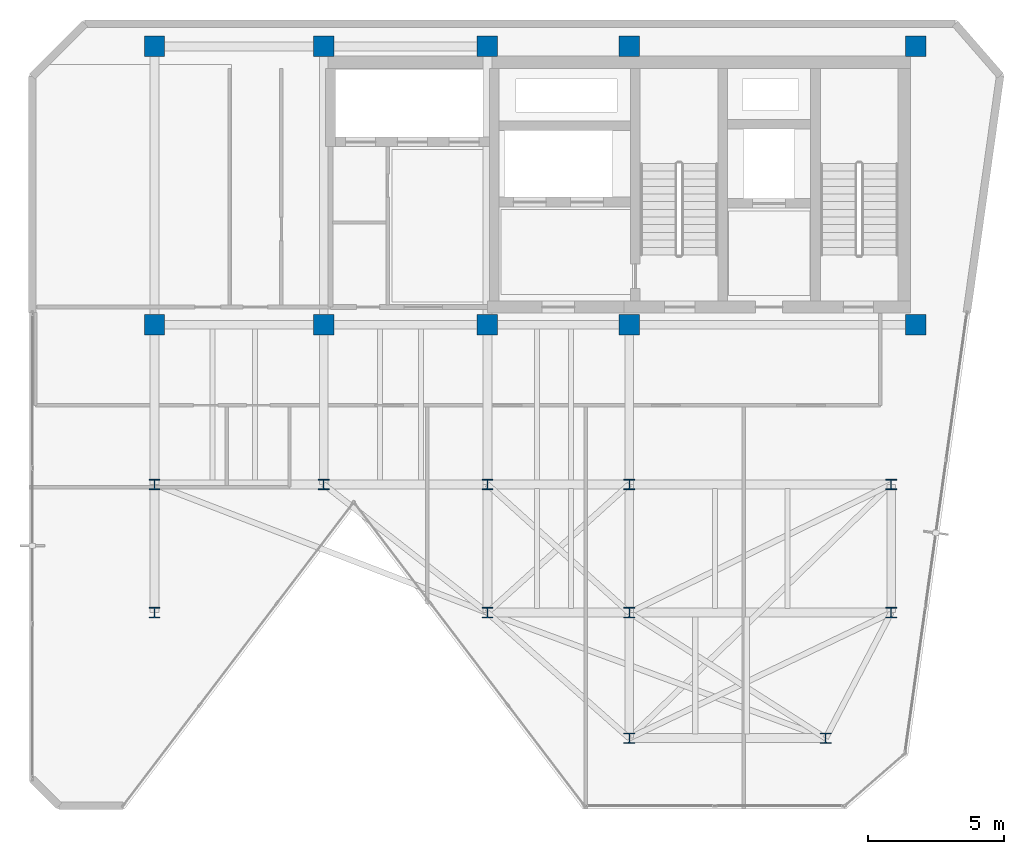
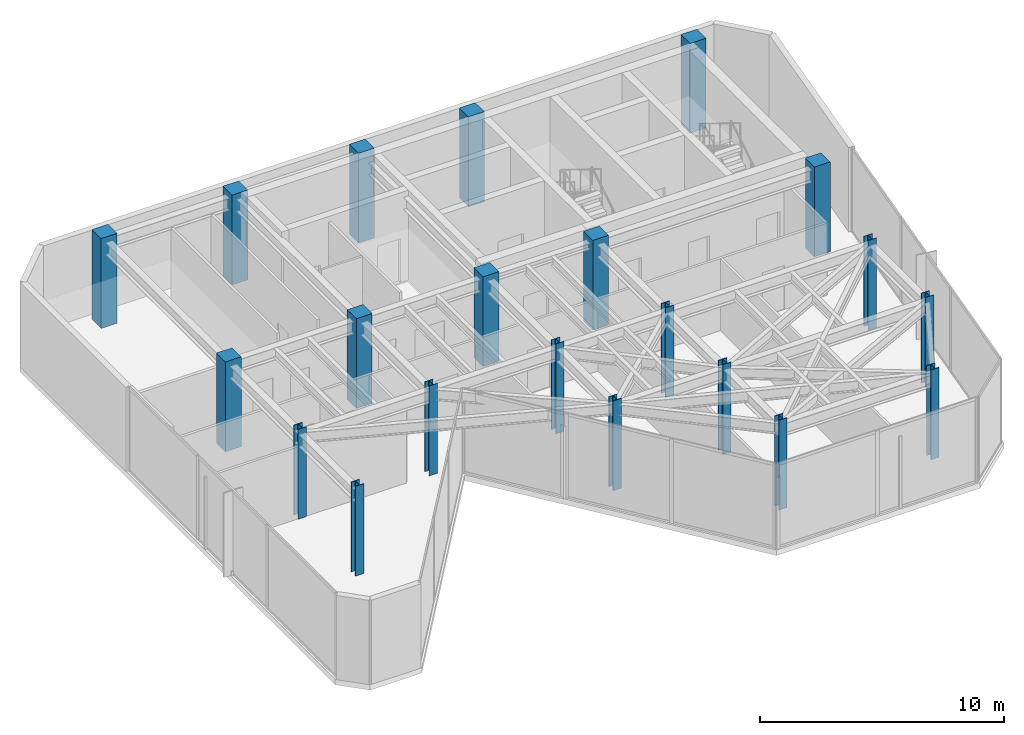
# One storey, part 1 of 17: 21 columns.
"""IFC4 building model written with IfcOpenShell, lengths in metres."""

from ifc_helpers import new_model, si_unit, direction, frame, origin, origin_2d, place, context, subcontext, project, spatial, rectangle, i_section, extrude, material, material_profile, profile_set, type_object, element, save


model = new_model("IFC4")

# Units and contexts
model_context = context("Model", 3, precision=1e-05, world=origin(), true_north=direction((0.0, 1.0)))
body_context = subcontext(model_context, "Body", "Model", "MODEL_VIEW")
ifc_project = project(units=[si_unit("LENGTHUNIT", "METRE"), si_unit("AREAUNIT", "SQUARE_METRE"), si_unit("VOLUMEUNIT", "CUBIC_METRE"), si_unit("PLANEANGLEUNIT", "RADIAN"), si_unit("MASSUNIT", "GRAM", prefix="KILO")], contexts=[model_context])

# Site, building, storey
site_placement = place(None, origin())
site = spatial("IfcSite", under=ifc_project, at=site_placement, CompositionType="ELEMENT")
building_placement = place(site_placement, origin())
building = spatial("IfcBuilding", under=site, at=building_placement, Name="Kravanh Interchange Tower", CompositionType="ELEMENT")
storey_placement = place(building_placement, frame((0.0, 0.0, 311.10009765625)))
storey = spatial("IfcBuildingStorey", under=building, at=storey_placement, Name="L77", CompositionType="ELEMENT", Elevation=311.10009765625)

# Columns
ifc_material_1 = material(Name="Concrete C60/75", Category="concrete")
ifc_material_profile_1 = material_profile(ifc_material_1, rectangle(XDim=0.75, YDim=0.75, at=origin_2d()), Name="RC750X750")
ifc_profile_set_1 = profile_set([ifc_material_profile_1], Name="Concrete C60/75")
column_type_1 = type_object("IfcColumnType", Name="Column RC750X750 Concrete C60/75", PredefinedType="COLUMN", material=ifc_profile_set_1)
for number, where, z_axis, x_axis, name in (
    (1, (66.5, 47.550048828125, 0.0), (0.0, 0.0, 1.0), (1.0, 0.0, 0.0), "L77 Column CS01"),
    (2, (56.0, 47.550048828125, 0.0), (0.0, 0.0, 1.0), (1.0, 0.0, 0.0), "L77 Column CS02"),
    (3, (66.5, 37.35009765625, 0.0), (0.0, 0.0, 1.0), (1.0, 0.0, 0.0), "L77 Column CS03"),
    (4, (56.0, 37.35009765625, 0.0), (0.0, 0.0, 1.0), (1.0, 0.0, 0.0), "L77 Column CS04"),
    (5, (50.800048828125, 47.550048828125, 0.0), (0.0, 0.0, 1.0), (1.0, 0.0, 0.0), "L77 Column CS05"),
    (6, (50.800048828125, 37.35009765625, 0.0), (0.0, 0.0, 1.0), (1.0, 0.0, 0.0), "L77 Column CS06"),
    (7, (44.800048828125, 37.35009765625, 0.0), (0.0, 0.0, 1.0), (1.0, 0.0, 0.0), "L77 Column CS07"),
    (8, (44.800048828125, 47.550048828125, 0.0), (0.0, 0.0, 1.0), (1.0, 0.0, 0.0), "L77 Column CS08"),
    (9, (38.60009765625, 37.35009765625, 0.0), (0.0, 0.0, 1.0), (1.0, 0.0, 0.0), "L77 Column CS09"),
    (10, (38.60009765625, 47.550048828125, 0.0), (0.0, 0.0, 1.0), (1.0, 0.0, 0.0), "L77 Column CS10"),
):
    element("IfcColumn", number, at=place(storey_placement, frame(where, z_axis=z_axis, x_axis=x_axis)), inside=storey, type_object=column_type_1, Name=name, PredefinedType="COLUMN", context=body_context, shape_type="SweptSolid", body=[
        extrude(rectangle(XDim=0.75, YDim=0.75, at=origin_2d()), origin(), (0.0, 0.0, 1.0), 4.5),
    ])
ifc_material_2 = material(Name="Structural Steel S355", Category="steel")
ifc_material_profile_2 = material_profile(ifc_material_2, i_section(OverallWidth=0.39404296875, OverallDepth=0.3759765625, WebThickness=0.017333984375, FlangeThickness=0.027587890625, FilletRadius=0.030029296875, at=origin_2d()), Name="W14X145")
ifc_profile_set_2 = profile_set([ifc_material_profile_2], Name="Structural Steel S355")
column_type_2 = type_object("IfcColumnType", Name="Column W14X145 Structural Steel S355", PredefinedType="COLUMN", material=ifc_profile_set_2)
for number, where, z_axis, x_axis, name in (
    (11, (44.800048828125, 31.5, 0.0), (0.0, 0.0, 1.0), (1.0, 0.0, 0.0), "L77 Column CH_E1"),
    (12, (50.800048828125, 31.5, 0.0), (0.0, 0.0, 1.0), (1.0, 0.0, 0.0), "L77 Column CH_E2"),
    (13, (56.0, 31.5, 0.0), (0.0, 0.0, 1.0), (1.0, 0.0, 0.0), "L77 Column CH_E3"),
    (14, (65.60009765625, 31.5, 0.0), (0.0, 0.0, 1.0), (1.0, 0.0, 0.0), "L77 Column CH_E4"),
    (15, (38.60009765625, 31.5, 0.0), (0.0, 0.0, 1.0), (1.0, 0.0, 0.0), "L77 Column CH_E5"),
    (16, (38.60009765625, 26.800048828125, 0.0), (0.0, 0.0, 1.0), (1.0, 0.0, 0.0), "L77 Column CH_S1"),
    (17, (50.800048828125, 26.800048828125, 0.0), (0.0, 0.0, 1.0), (1.0, 0.0, 0.0), "L77 Column CH_S2"),
    (18, (56.0, 26.800048828125, 0.0), (0.0, 0.0, 1.0), (1.0, 0.0, 0.0), "L77 Column CH_S3"),
    (19, (65.60009765625, 26.800048828125, 0.0), (0.0, 0.0, 1.0), (1.0, 0.0, 0.0), "L77 Column CH_S4"),
    (20, (56.0, 22.199951171875, 0.0), (0.0, 0.0, 1.0), (1.0, 0.0, 0.0), "L77 Column CH_S5"),
    (21, (63.199951171875, 22.199951171875, 0.0), (0.0, 0.0, 1.0), (1.0, 0.0, 0.0), "L77 Column CH_S6"),
):
    element("IfcColumn", number, at=place(storey_placement, frame(where, z_axis=z_axis, x_axis=x_axis)), inside=storey, type_object=column_type_2, Name=name, PredefinedType="COLUMN", context=body_context, shape_type="SweptSolid", body=[
        extrude(i_section(OverallWidth=0.39404296875, OverallDepth=0.3759765625, WebThickness=0.017333984375, FlangeThickness=0.027587890625, FilletRadius=0.030029296875, at=origin_2d()), origin(), (0.0, 0.0, 1.0), 4.5),
    ])

save(model, "model.ifc")
